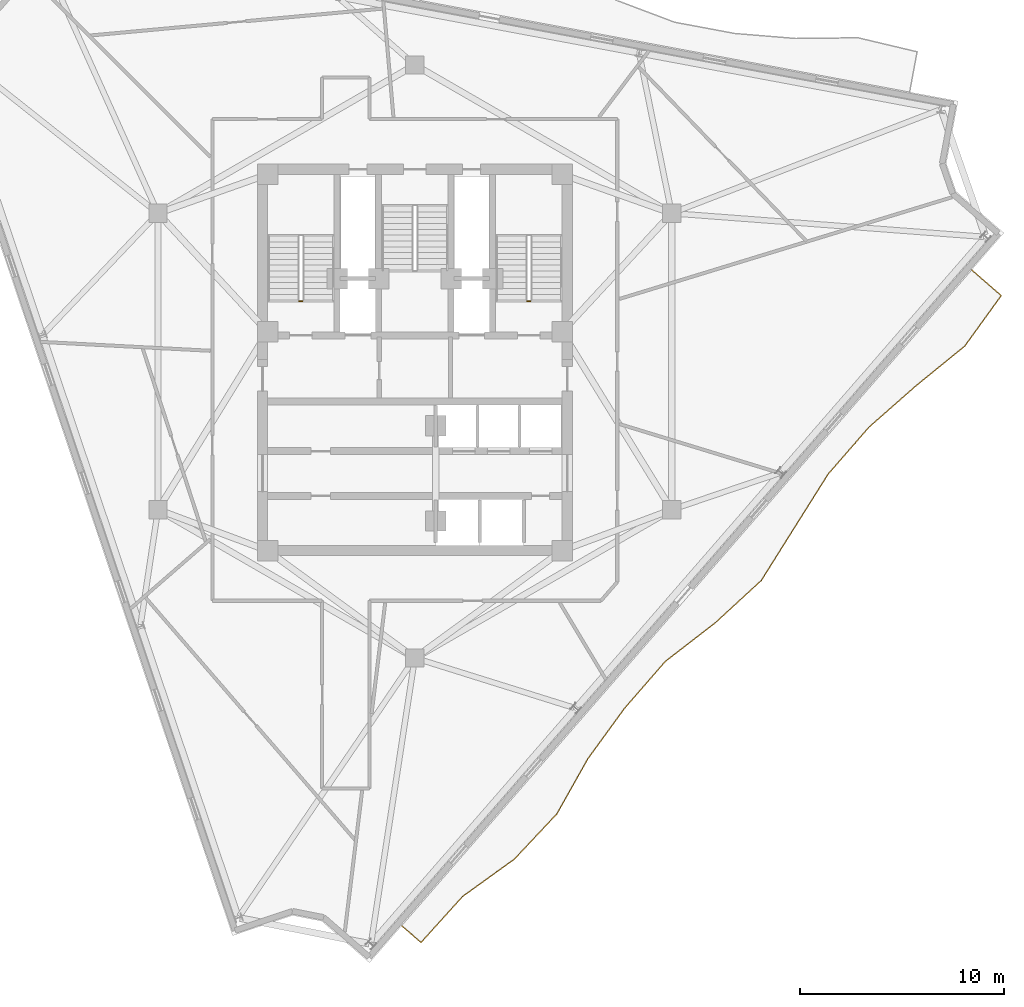
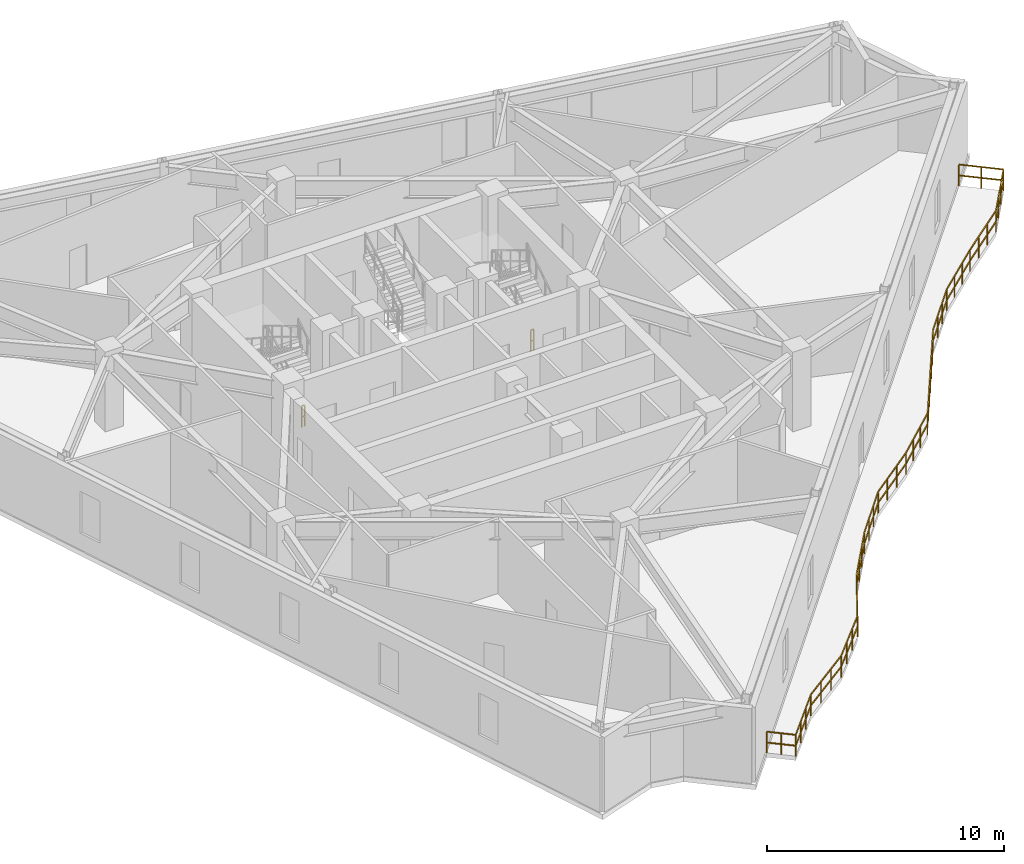
# One storey, part 8 of 10: 3 railings.
"""IFC4 building model written with IfcOpenShell, lengths in metres."""

from ifc_helpers import new_model, si_unit, direction, frame, origin, origin_2d, place, context, subcontext, project, spatial, rectangle, extrude, material, type_object, element, save


model = new_model("IFC4")

# Units and contexts
model_context = context("Model", 3, precision=1e-05, world=origin(), true_north=direction((0.0, 1.0)))
body_context = subcontext(model_context, "Body", "Model", "MODEL_VIEW")
ifc_project = project(units=[si_unit("LENGTHUNIT", "METRE"), si_unit("AREAUNIT", "SQUARE_METRE"), si_unit("VOLUMEUNIT", "CUBIC_METRE"), si_unit("PLANEANGLEUNIT", "RADIAN"), si_unit("MASSUNIT", "GRAM", prefix="KILO")], contexts=[model_context])

# Site, building, storey
site_placement = place(None, origin())
site = spatial("IfcSite", under=ifc_project, at=site_placement, CompositionType="ELEMENT")
building_placement = place(site_placement, origin())
building = spatial("IfcBuilding", under=site, at=building_placement, Name="Apsidion Concourse Tower", CompositionType="ELEMENT")
storey_placement = place(building_placement, frame((0.0, 0.0, 286.0)))
storey = spatial("IfcBuildingStorey", under=building, at=storey_placement, Name="L67", CompositionType="ELEMENT", Elevation=286.0)

# Railings
ifc_material = material(Name="Brushed stainless steel 316", Category="steel")
railing_type_1 = type_object("IfcRailingType", Name="RL-BAL-1120", PredefinedType="BALUSTRADE", material=ifc_material)
railing_placement = place(storey_placement, frame((27.2392578125, 4.47607421875, 0.0)))
element("IfcRailing", 1, at=railing_placement, inside=storey, type_object=railing_type_1, Name="L67 Face 2 Rippling Balcony Balustrade", PredefinedType="BALUSTRADE", context=body_context, shape_type="SweptSolid", body=[
    extrude(rectangle(XDim=0.048095703125, YDim=0.048095703125, at=origin_2d()), frame((0.0, 0.0, 1.09619140625), z_axis=(0.754622018015, -0.656159744214, 0.0), x_axis=(0.656159744214, 0.754622018015, 0.0)), (0.0, 0.0, 1.0), 1.91162109375),
    extrude(rectangle(XDim=0.048095703125, YDim=0.048095703125, at=origin_2d()), frame((0.0, 0.0, 0.5361328125), z_axis=(0.754622018015, -0.656159744214, 0.0), x_axis=(0.656159744214, 0.754622018015, 0.0)), (0.0, 0.0, 1.0), 1.91162109375),
    extrude(rectangle(XDim=0.048095703125, YDim=0.048095703125, at=origin_2d()), frame((1.442626953125, -1.25439453125, 1.09619140625), z_axis=(-0.585587068875, -0.810609514357, 0.0), x_axis=(0.810609514357, -0.585587068875, 0.0)), (0.0, 0.0, 1.0), 3.047607421875),
    extrude(rectangle(XDim=0.048095703125, YDim=0.048095703125, at=origin_2d()), frame((1.442626953125, -1.25439453125, 0.5361328125), z_axis=(-0.585587068875, -0.810609514357, 0.0), x_axis=(0.810609514357, -0.585587068875, 0.0)), (0.0, 0.0, 1.0), 3.047607421875),
    extrude(rectangle(XDim=0.048095703125, YDim=0.048095703125, at=origin_2d()), frame((-0.342041015625, -3.724853515625, 1.09619140625), z_axis=(-0.775529522729, -0.63131130148, 0.0), x_axis=(0.63131130148, -0.775529522729, 0.0)), (0.0, 0.0, 1.0), 3.0810546875),
    extrude(rectangle(XDim=0.048095703125, YDim=0.048095703125, at=origin_2d()), frame((-0.342041015625, -3.724853515625, 0.5361328125), z_axis=(-0.775529522729, -0.63131130148, 0.0), x_axis=(0.63131130148, -0.775529522729, 0.0)), (0.0, 0.0, 1.0), 3.0810546875),
    extrude(rectangle(XDim=0.048095703125, YDim=0.048095703125, at=origin_2d()), frame((-2.7314453125, -5.669921875, 1.09619140625), z_axis=(-0.750821037482, -0.660505692386, 0.0), x_axis=(0.660505692386, -0.750821037482, 0.0)), (0.0, 0.0, 1.0), 3.062744140625),
    extrude(rectangle(XDim=0.048095703125, YDim=0.048095703125, at=origin_2d()), frame((-2.7314453125, -5.669921875, 0.5361328125), z_axis=(-0.750821037482, -0.660505692386, 0.0), x_axis=(0.660505692386, -0.750821037482, 0.0)), (0.0, 0.0, 1.0), 3.062744140625),
    extrude(rectangle(XDim=0.048095703125, YDim=0.048095703125, at=origin_2d()), frame((-5.031005859375, -7.69287109375, 1.09619140625), z_axis=(-0.656041311893, -0.754724981096, 0.0), x_axis=(0.754724981096, -0.656041311893, 0.0)), (0.0, 0.0, 1.0), 3.03564453125),
    extrude(rectangle(XDim=0.048095703125, YDim=0.048095703125, at=origin_2d()), frame((-5.031005859375, -7.69287109375, 0.5361328125), z_axis=(-0.656041311893, -0.754724981096, 0.0), x_axis=(0.754724981096, -0.656041311893, 0.0)), (0.0, 0.0, 1.0), 3.03564453125),
    extrude(rectangle(XDim=0.048095703125, YDim=0.048095703125, at=origin_2d()), frame((-7.0224609375, -9.98388671875, 1.09619140625), z_axis=(-0.532404277192, -0.846490215908, 0.0), x_axis=(0.846490215908, -0.532404277192, 0.0)), (0.0, 0.0, 1.0), 3.072021484375),
    extrude(rectangle(XDim=0.048095703125, YDim=0.048095703125, at=origin_2d()), frame((-7.0224609375, -9.98388671875, 0.5361328125), z_axis=(-0.532404277192, -0.846490215908, 0.0), x_axis=(0.846490215908, -0.532404277192, 0.0)), (0.0, 0.0, 1.0), 3.072021484375),
    extrude(rectangle(XDim=0.048095703125, YDim=0.048095703125, at=origin_2d()), frame((-8.657958984375, -12.584228515625, 1.09619140625), z_axis=(-0.531697882488, -0.846934095286, 0.0), x_axis=(0.846934095286, -0.531697882488, 0.0)), (0.0, 0.0, 1.0), 3.072265625),
    extrude(rectangle(XDim=0.048095703125, YDim=0.048095703125, at=origin_2d()), frame((-8.657958984375, -12.584228515625, 0.5361328125), z_axis=(-0.531697882488, -0.846934095286, 0.0), x_axis=(0.846934095286, -0.531697882488, 0.0)), (0.0, 0.0, 1.0), 3.072265625),
    extrude(rectangle(XDim=0.048095703125, YDim=0.048095703125, at=origin_2d()), frame((-10.29150390625, -15.186279296875, 1.09619140625), z_axis=(-0.735945348151, -0.677040947458, 0.0), x_axis=(0.677040947458, -0.735945348151, 0.0)), (0.0, 0.0, 1.0), 3.0546875),
    extrude(rectangle(XDim=0.048095703125, YDim=0.048095703125, at=origin_2d()), frame((-10.29150390625, -15.186279296875, 0.5361328125), z_axis=(-0.735945348151, -0.677040947458, 0.0), x_axis=(0.677040947458, -0.735945348151, 0.0)), (0.0, 0.0, 1.0), 3.0546875),
    extrude(rectangle(XDim=0.048095703125, YDim=0.048095703125, at=origin_2d()), frame((-12.53955078125, -17.25439453125, 1.09619140625), z_axis=(-0.79114101437, -0.611633791889, 0.0), x_axis=(0.611633791889, -0.79114101437, 0.0)), (0.0, 0.0, 1.0), 3.095458984375),
    extrude(rectangle(XDim=0.048095703125, YDim=0.048095703125, at=origin_2d()), frame((-12.53955078125, -17.25439453125, 0.5361328125), z_axis=(-0.79114101437, -0.611633791889, 0.0), x_axis=(0.611633791889, -0.79114101437, 0.0)), (0.0, 0.0, 1.0), 3.095458984375),
    extrude(rectangle(XDim=0.048095703125, YDim=0.048095703125, at=origin_2d()), frame((-14.988525390625, -19.147705078125, 1.09619140625), z_axis=(-0.656081135174, -0.754690363042, 0.0), x_axis=(0.754690363042, -0.656081135174, 0.0)), (0.0, 0.0, 1.0), 3.035400390625),
    extrude(rectangle(XDim=0.048095703125, YDim=0.048095703125, at=origin_2d()), frame((-14.988525390625, -19.147705078125, 0.5361328125), z_axis=(-0.656081135174, -0.754690363042, 0.0), x_axis=(0.754690363042, -0.656081135174, 0.0)), (0.0, 0.0, 1.0), 3.035400390625),
    extrude(rectangle(XDim=0.048095703125, YDim=0.048095703125, at=origin_2d()), frame((-16.97998046875, -21.4384765625, 1.09619140625), z_axis=(-0.588257446814, -0.808673714342, 0.0), x_axis=(0.808673714342, -0.588257446814, 0.0)), (0.0, 0.0, 1.0), 3.047119140625),
    extrude(rectangle(XDim=0.048095703125, YDim=0.048095703125, at=origin_2d()), frame((-16.97998046875, -21.4384765625, 0.5361328125), z_axis=(-0.588257446814, -0.808673714342, 0.0), x_axis=(0.808673714342, -0.588257446814, 0.0)), (0.0, 0.0, 1.0), 3.047119140625),
    extrude(rectangle(XDim=0.048095703125, YDim=0.048095703125, at=origin_2d()), frame((-18.7724609375, -23.902587890625, 1.09619140625), z_axis=(-0.490137812818, -0.871644953204, 0.0), x_axis=(0.871644953204, -0.490137812818, 0.0)), (0.0, 0.0, 1.0), 3.09912109375),
    extrude(rectangle(XDim=0.048095703125, YDim=0.048095703125, at=origin_2d()), frame((-18.7724609375, -23.902587890625, 0.5361328125), z_axis=(-0.490137812818, -0.871644953204, 0.0), x_axis=(0.871644953204, -0.490137812818, 0.0)), (0.0, 0.0, 1.0), 3.09912109375),
    extrude(rectangle(XDim=0.048095703125, YDim=0.048095703125, at=origin_2d()), frame((-20.29150390625, -26.60400390625, 1.09619140625), z_axis=(-0.684742733368, -0.728784871618, 0.0), x_axis=(0.728784871618, -0.684742733368, 0.0)), (0.0, 0.0, 1.0), 3.037841796875),
    extrude(rectangle(XDim=0.048095703125, YDim=0.048095703125, at=origin_2d()), frame((-20.29150390625, -26.60400390625, 0.5361328125), z_axis=(-0.684742733368, -0.728784871618, 0.0), x_axis=(0.728784871618, -0.684742733368, 0.0)), (0.0, 0.0, 1.0), 3.037841796875),
    extrude(rectangle(XDim=0.048095703125, YDim=0.048095703125, at=origin_2d()), frame((-22.37158203125, -28.81787109375, 1.09619140625), z_axis=(-0.811170332181, -0.584809962457, 0.0), x_axis=(0.584809962457, -0.811170332181, 0.0)), (0.0, 0.0, 1.0), 3.1181640625),
    extrude(rectangle(XDim=0.048095703125, YDim=0.048095703125, at=origin_2d()), frame((-22.37158203125, -28.81787109375, 0.5361328125), z_axis=(-0.811170332181, -0.584809962457, 0.0), x_axis=(0.584809962457, -0.811170332181, 0.0)), (0.0, 0.0, 1.0), 3.1181640625),
    extrude(rectangle(XDim=0.048095703125, YDim=0.048095703125, at=origin_2d()), frame((-24.90087890625, -30.641357421875, 1.09619140625), z_axis=(-0.670713273164, -0.741716728409, 0.0), x_axis=(0.741716728409, -0.670713273164, 0.0)), (0.0, 0.0, 1.0), 3.0361328125),
    extrude(rectangle(XDim=0.048095703125, YDim=0.048095703125, at=origin_2d()), frame((-24.90087890625, -30.641357421875, 0.5361328125), z_axis=(-0.670713273164, -0.741716728409, 0.0), x_axis=(0.741716728409, -0.670713273164, 0.0)), (0.0, 0.0, 1.0), 3.0361328125),
    extrude(rectangle(XDim=0.048095703125, YDim=0.048095703125, at=origin_2d()), frame((-26.937255859375, -32.893310546875, 1.09619140625), z_axis=(-0.754786276377, 0.655970789741, 0.0), x_axis=(-0.655970789741, -0.754786276377, 0.0)), (0.0, 0.0, 1.0), 1.250244140625),
    extrude(rectangle(XDim=0.048095703125, YDim=0.048095703125, at=origin_2d()), frame((-26.937255859375, -32.893310546875, 0.5361328125), z_axis=(-0.754786276377, 0.655970789741, 0.0), x_axis=(-0.655970789741, -0.754786276377, 0.0)), (0.0, 0.0, 1.0), 1.250244140625),
    extrude(rectangle(XDim=0.0419921875, YDim=0.0419921875, at=origin_2d()), origin(), (0.0, 0.0, 1.0), 1.072021484375),
    extrude(rectangle(XDim=0.0419921875, YDim=0.0419921875, at=origin_2d()), frame((0.72119140625, -0.627197265625, 0.0)), (0.0, 0.0, 1.0), 1.072021484375),
    extrude(rectangle(XDim=0.0419921875, YDim=0.0419921875, at=origin_2d()), frame((1.442626953125, -1.25439453125, 0.0)), (0.0, 0.0, 1.0), 1.072021484375),
    extrude(rectangle(XDim=0.0419921875, YDim=0.0419921875, at=origin_2d()), frame((0.84765625, -2.077880859375, 0.0)), (0.0, 0.0, 1.0), 1.072021484375),
    extrude(rectangle(XDim=0.0419921875, YDim=0.0419921875, at=origin_2d()), frame((0.2529296875, -2.9013671875, 0.0)), (0.0, 0.0, 1.0), 1.072021484375),
    extrude(rectangle(XDim=0.0419921875, YDim=0.0419921875, at=origin_2d()), frame((-0.342041015625, -3.724853515625, 0.0)), (0.0, 0.0, 1.0), 1.072021484375),
    extrude(rectangle(XDim=0.0419921875, YDim=0.0419921875, at=origin_2d()), frame((-1.138427734375, -4.373291015625, 0.0)), (0.0, 0.0, 1.0), 1.072021484375),
    extrude(rectangle(XDim=0.0419921875, YDim=0.0419921875, at=origin_2d()), frame((-1.93505859375, -5.021484375, 0.0)), (0.0, 0.0, 1.0), 1.072021484375),
    extrude(rectangle(XDim=0.0419921875, YDim=0.0419921875, at=origin_2d()), frame((-2.7314453125, -5.669921875, 0.0)), (0.0, 0.0, 1.0), 1.072021484375),
    extrude(rectangle(XDim=0.0419921875, YDim=0.0419921875, at=origin_2d()), frame((-3.498046875, -6.34423828125, 0.0)), (0.0, 0.0, 1.0), 1.072021484375),
    extrude(rectangle(XDim=0.0419921875, YDim=0.0419921875, at=origin_2d()), frame((-4.264404296875, -7.0185546875, 0.0)), (0.0, 0.0, 1.0), 1.072021484375),
    extrude(rectangle(XDim=0.0419921875, YDim=0.0419921875, at=origin_2d()), frame((-5.031005859375, -7.69287109375, 0.0)), (0.0, 0.0, 1.0), 1.072021484375),
    extrude(rectangle(XDim=0.0419921875, YDim=0.0419921875, at=origin_2d()), frame((-5.69482421875, -8.45654296875, 0.0)), (0.0, 0.0, 1.0), 1.072021484375),
    extrude(rectangle(XDim=0.0419921875, YDim=0.0419921875, at=origin_2d()), frame((-6.358642578125, -9.22021484375, 0.0)), (0.0, 0.0, 1.0), 1.072021484375),
    extrude(rectangle(XDim=0.0419921875, YDim=0.0419921875, at=origin_2d()), frame((-7.0224609375, -9.98388671875, 0.0)), (0.0, 0.0, 1.0), 1.072021484375),
    extrude(rectangle(XDim=0.0419921875, YDim=0.0419921875, at=origin_2d()), frame((-7.567626953125, -10.8505859375, 0.0)), (0.0, 0.0, 1.0), 1.072021484375),
    extrude(rectangle(XDim=0.0419921875, YDim=0.0419921875, at=origin_2d()), frame((-8.11279296875, -11.717529296875, 0.0)), (0.0, 0.0, 1.0), 1.072021484375),
    extrude(rectangle(XDim=0.0419921875, YDim=0.0419921875, at=origin_2d()), frame((-8.657958984375, -12.584228515625, 0.0)), (0.0, 0.0, 1.0), 1.072021484375),
    extrude(rectangle(XDim=0.0419921875, YDim=0.0419921875, at=origin_2d()), frame((-9.202392578125, -13.45166015625, 0.0)), (0.0, 0.0, 1.0), 1.072021484375),
    extrude(rectangle(XDim=0.0419921875, YDim=0.0419921875, at=origin_2d()), frame((-9.7470703125, -14.31884765625, 0.0)), (0.0, 0.0, 1.0), 1.072021484375),
    extrude(rectangle(XDim=0.0419921875, YDim=0.0419921875, at=origin_2d()), frame((-10.29150390625, -15.186279296875, 0.0)), (0.0, 0.0, 1.0), 1.072021484375),
    extrude(rectangle(XDim=0.0419921875, YDim=0.0419921875, at=origin_2d()), frame((-11.040771484375, -15.875732421875, 0.0)), (0.0, 0.0, 1.0), 1.072021484375),
    extrude(rectangle(XDim=0.0419921875, YDim=0.0419921875, at=origin_2d()), frame((-11.790283203125, -16.56494140625, 0.0)), (0.0, 0.0, 1.0), 1.072021484375),
    extrude(rectangle(XDim=0.0419921875, YDim=0.0419921875, at=origin_2d()), frame((-12.53955078125, -17.25439453125, 0.0)), (0.0, 0.0, 1.0), 1.072021484375),
    extrude(rectangle(XDim=0.0419921875, YDim=0.0419921875, at=origin_2d()), frame((-13.35595703125, -17.885498046875, 0.0)), (0.0, 0.0, 1.0), 1.072021484375),
    extrude(rectangle(XDim=0.0419921875, YDim=0.0419921875, at=origin_2d()), frame((-14.172119140625, -18.5166015625, 0.0)), (0.0, 0.0, 1.0), 1.072021484375),
    extrude(rectangle(XDim=0.0419921875, YDim=0.0419921875, at=origin_2d()), frame((-14.988525390625, -19.147705078125, 0.0)), (0.0, 0.0, 1.0), 1.072021484375),
    extrude(rectangle(XDim=0.0419921875, YDim=0.0419921875, at=origin_2d()), frame((-15.65234375, -19.911376953125, 0.0)), (0.0, 0.0, 1.0), 1.072021484375),
    extrude(rectangle(XDim=0.0419921875, YDim=0.0419921875, at=origin_2d()), frame((-16.316162109375, -20.6748046875, 0.0)), (0.0, 0.0, 1.0), 1.072021484375),
    extrude(rectangle(XDim=0.0419921875, YDim=0.0419921875, at=origin_2d()), frame((-16.97998046875, -21.4384765625, 0.0)), (0.0, 0.0, 1.0), 1.072021484375),
    extrude(rectangle(XDim=0.0419921875, YDim=0.0419921875, at=origin_2d()), frame((-17.577392578125, -22.259765625, 0.0)), (0.0, 0.0, 1.0), 1.072021484375),
    extrude(rectangle(XDim=0.0419921875, YDim=0.0419921875, at=origin_2d()), frame((-18.175048828125, -23.081298828125, 0.0)), (0.0, 0.0, 1.0), 1.072021484375),
    extrude(rectangle(XDim=0.0419921875, YDim=0.0419921875, at=origin_2d()), frame((-18.7724609375, -23.902587890625, 0.0)), (0.0, 0.0, 1.0), 1.072021484375),
    extrude(rectangle(XDim=0.0419921875, YDim=0.0419921875, at=origin_2d()), frame((-19.27880859375, -24.802978515625, 0.0)), (0.0, 0.0, 1.0), 1.072021484375),
    extrude(rectangle(XDim=0.0419921875, YDim=0.0419921875, at=origin_2d()), frame((-19.78515625, -25.70361328125, 0.0)), (0.0, 0.0, 1.0), 1.072021484375),
    extrude(rectangle(XDim=0.0419921875, YDim=0.0419921875, at=origin_2d()), frame((-20.29150390625, -26.60400390625, 0.0)), (0.0, 0.0, 1.0), 1.072021484375),
    extrude(rectangle(XDim=0.0419921875, YDim=0.0419921875, at=origin_2d()), frame((-20.98486328125, -27.342041015625, 0.0)), (0.0, 0.0, 1.0), 1.072021484375),
    extrude(rectangle(XDim=0.0419921875, YDim=0.0419921875, at=origin_2d()), frame((-21.67822265625, -28.079833984375, 0.0)), (0.0, 0.0, 1.0), 1.072021484375),
    extrude(rectangle(XDim=0.0419921875, YDim=0.0419921875, at=origin_2d()), frame((-22.37158203125, -28.81787109375, 0.0)), (0.0, 0.0, 1.0), 1.072021484375),
    extrude(rectangle(XDim=0.0419921875, YDim=0.0419921875, at=origin_2d()), frame((-23.214599609375, -29.42578125, 0.0)), (0.0, 0.0, 1.0), 1.072021484375),
    extrude(rectangle(XDim=0.0419921875, YDim=0.0419921875, at=origin_2d()), frame((-24.057861328125, -30.033447265625, 0.0)), (0.0, 0.0, 1.0), 1.072021484375),
    extrude(rectangle(XDim=0.0419921875, YDim=0.0419921875, at=origin_2d()), frame((-24.90087890625, -30.641357421875, 0.0)), (0.0, 0.0, 1.0), 1.072021484375),
    extrude(rectangle(XDim=0.0419921875, YDim=0.0419921875, at=origin_2d()), frame((-25.57958984375, -31.39208984375, 0.0)), (0.0, 0.0, 1.0), 1.072021484375),
    extrude(rectangle(XDim=0.0419921875, YDim=0.0419921875, at=origin_2d()), frame((-26.258544921875, -32.142578125, 0.0)), (0.0, 0.0, 1.0), 1.072021484375),
    extrude(rectangle(XDim=0.0419921875, YDim=0.0419921875, at=origin_2d()), frame((-26.937255859375, -32.893310546875, 0.0)), (0.0, 0.0, 1.0), 1.072021484375),
    extrude(rectangle(XDim=0.0419921875, YDim=0.0419921875, at=origin_2d()), frame((-27.4091796875, -32.4833984375, 0.0)), (0.0, 0.0, 1.0), 1.072021484375),
    extrude(rectangle(XDim=0.0419921875, YDim=0.0419921875, at=origin_2d()), frame((-27.880859375, -32.0732421875, 0.0)), (0.0, 0.0, 1.0), 1.072021484375),
])
railing_type_2 = type_object("IfcRailingType", Name="RL-GUARD-1100", PredefinedType="GUARDRAIL", material=ifc_material)
for number, where, name in (
    (2, (-5.5, 2.949951171875, 0.0), "L67 ST1 stair guard 4"),
    (3, (5.64990234375, 2.949951171875, 0.0), "L67 ST2 stair guard 4"),
):
    element("IfcRailing", number, at=place(storey_placement, frame(where)), inside=storey, type_object=railing_type_2, Name=name, PredefinedType="GUARDRAIL", context=body_context, shape_type="SweptSolid", body=[
        extrude(rectangle(XDim=0.048095703125, YDim=0.048095703125, at=origin_2d()), frame((0.0, 0.0, 1.09619140625), z_axis=(-1.0, 0.0, 0.0), x_axis=(0.0, -1.0, 0.0)), (0.0, 0.0, 1.0), 0.14990234375),
        extrude(rectangle(XDim=0.048095703125, YDim=0.048095703125, at=origin_2d()), frame((0.0, 0.0, 0.5361328125), z_axis=(-1.0, 0.0, 0.0), x_axis=(0.0, -1.0, 0.0)), (0.0, 0.0, 1.0), 0.14990234375),
        extrude(rectangle(XDim=0.0419921875, YDim=0.0419921875, at=origin_2d()), origin(), (0.0, 0.0, 1.0), 1.072021484375),
        extrude(rectangle(XDim=0.0419921875, YDim=0.0419921875, at=origin_2d()), frame((-0.14990234375, 0.0, 0.0)), (0.0, 0.0, 1.0), 1.072021484375),
    ])

save(model, "model.ifc")
